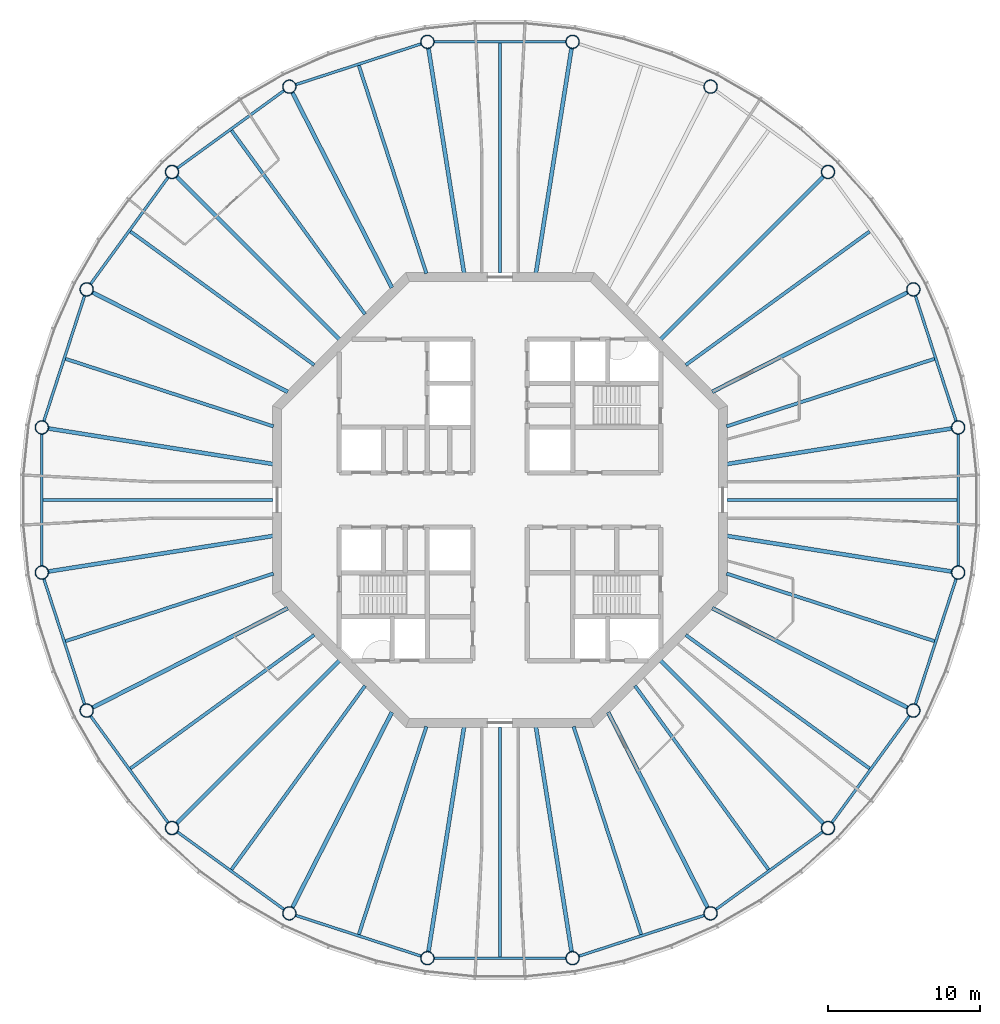
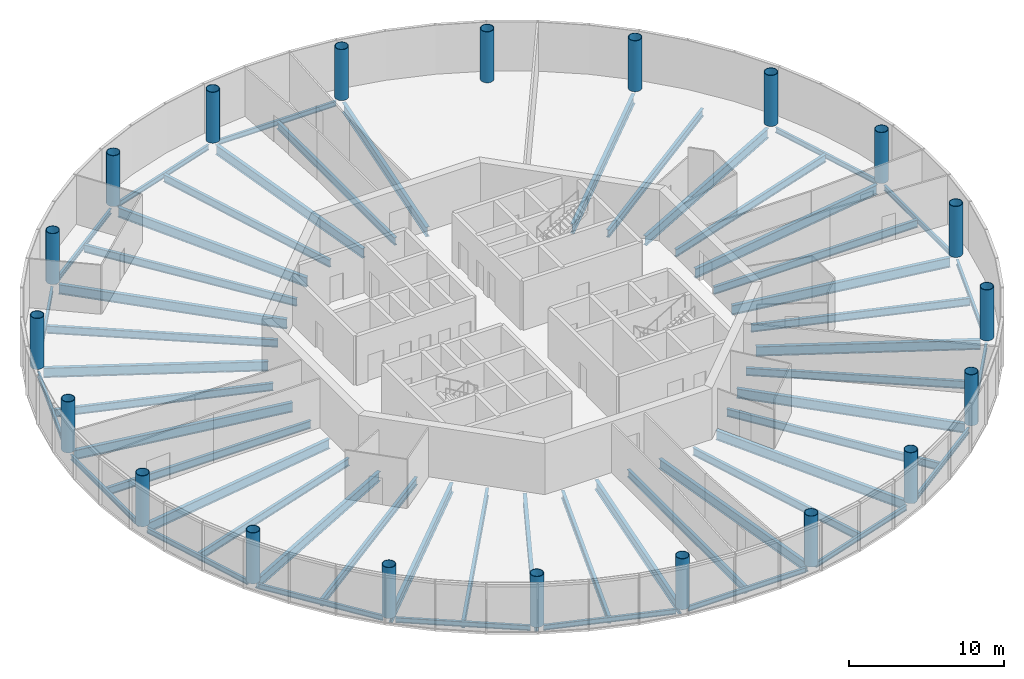
# One storey, part 1 of 13: 54 beams, 20 columns.
"""IFC4 building model written with IfcOpenShell, lengths in metres."""

from ifc_helpers import new_model, si_unit, direction, frame, origin, origin_2d, place, context, subcontext, project, spatial, circle, hollow_circle, i_section, extrude, material, material_profile, profile_set, type_object, element, save


model = new_model("IFC4")

# Units and contexts
model_context = context("Model", 3, precision=1e-05, world=origin(), true_north=direction((0.0, 1.0)))
body_context = subcontext(model_context, "Body", "Model", "MODEL_VIEW")
ifc_project = project(units=[si_unit("LENGTHUNIT", "METRE"), si_unit("AREAUNIT", "SQUARE_METRE"), si_unit("VOLUMEUNIT", "CUBIC_METRE"), si_unit("PLANEANGLEUNIT", "RADIAN"), si_unit("MASSUNIT", "GRAM", prefix="KILO")], contexts=[model_context])

# Site, building, storey
site_placement = place(None, origin())
site = spatial("IfcSite", under=ifc_project, at=site_placement, CompositionType="ELEMENT")
building_placement = place(site_placement, origin())
building = spatial("IfcBuilding", under=site, at=building_placement, Name="Entoto Ring Tower", CompositionType="ELEMENT")
storey_placement = place(building_placement, frame((0.0, 0.0, 348.0)))
storey = spatial("IfcBuildingStorey", under=building, at=storey_placement, Name="L80", CompositionType="ELEMENT", Elevation=348.0)

# Columns
ifc_material_1 = material(Name="Steel S355", Category="steel")
ifc_material_profile_1 = material_profile(ifc_material_1, hollow_circle(Radius=0.449951171875, WallThickness=0.0400390625, at=origin_2d()), Name="CHS 900 x 40")
ifc_material_2 = material(Name="Concrete C60/75", Category="concrete")
ifc_material_profile_2 = material_profile(ifc_material_2, circle(Radius=0.409912109375, at=origin_2d()), Name="Concrete C60/75 infill")
ifc_profile_set_1 = profile_set([ifc_material_profile_1, ifc_material_profile_2], Name="Steel S355")
column_type = type_object("IfcColumnType", Name="Ring column 900 x 40 concrete-filled tube", PredefinedType="COLUMN", material=ifc_profile_set_1)
for number, where, z_axis, x_axis, name in (
    (1, (120.22314453125, 84.786865234375, 0.0), (0.0, 0.0, 1.0), (1.0, 0.0, 0.0), "RC6 R01"),
    (2, (117.264892578125, 93.89208984375, 0.0), (0.0, 0.0, 1.0), (1.0, 0.0, 0.0), "RC6 R02"),
    (3, (111.637451171875, 101.637451171875, 0.0), (0.0, 0.0, 1.0), (1.0, 0.0, 0.0), "RC6 R03"),
    (4, (103.89208984375, 107.264892578125, 0.0), (0.0, 0.0, 1.0), (1.0, 0.0, 0.0), "RC6 R04"),
    (5, (94.786865234375, 110.22314453125, 0.0), (0.0, 0.0, 1.0), (1.0, 0.0, 0.0), "RC6 R05"),
    (6, (85.213134765625, 110.22314453125, 0.0), (0.0, 0.0, 1.0), (1.0, 0.0, 0.0), "RC6 R06"),
    (7, (76.10791015625, 107.264892578125, 0.0), (0.0, 0.0, 1.0), (1.0, 0.0, 0.0), "RC6 R07"),
    (8, (68.362548828125, 101.637451171875, 0.0), (0.0, 0.0, 1.0), (1.0, 0.0, 0.0), "RC6 R08"),
    (9, (62.735107421875, 93.89208984375, 0.0), (0.0, 0.0, 1.0), (1.0, 0.0, 0.0), "RC6 R09"),
    (10, (59.77685546875, 84.786865234375, 0.0), (0.0, 0.0, 1.0), (1.0, 0.0, 0.0), "RC6 R10"),
    (11, (59.77685546875, 75.213134765625, 0.0), (0.0, 0.0, 1.0), (1.0, 0.0, 0.0), "RC6 R11"),
    (12, (62.735107421875, 66.10791015625, 0.0), (0.0, 0.0, 1.0), (1.0, 0.0, 0.0), "RC6 R12"),
    (13, (68.362548828125, 58.362548828125, 0.0), (0.0, 0.0, 1.0), (1.0, 0.0, 0.0), "RC6 R13"),
    (14, (76.10791015625, 52.735107421875, 0.0), (0.0, 0.0, 1.0), (1.0, 0.0, 0.0), "RC6 R14"),
    (15, (85.213134765625, 49.77685546875, 0.0), (0.0, 0.0, 1.0), (1.0, 0.0, 0.0), "RC6 R15"),
    (16, (94.786865234375, 49.77685546875, 0.0), (0.0, 0.0, 1.0), (1.0, 0.0, 0.0), "RC6 R16"),
    (17, (103.89208984375, 52.735107421875, 0.0), (0.0, 0.0, 1.0), (1.0, 0.0, 0.0), "RC6 R17"),
    (18, (111.637451171875, 58.362548828125, 0.0), (0.0, 0.0, 1.0), (1.0, 0.0, 0.0), "RC6 R18"),
    (19, (117.264892578125, 66.10791015625, 0.0), (0.0, 0.0, 1.0), (1.0, 0.0, 0.0), "RC6 R19"),
    (20, (120.22314453125, 75.213134765625, 0.0), (0.0, 0.0, 1.0), (1.0, 0.0, 0.0), "RC6 R20"),
):
    element("IfcColumn", number, at=place(storey_placement, frame(where, z_axis=z_axis, x_axis=x_axis)), inside=storey, type_object=column_type, Name=name, PredefinedType="COLUMN", context=body_context, shape_type="SweptSolid", body=[
        extrude(hollow_circle(Radius=0.449951171875, WallThickness=0.0400390625, at=origin_2d()), origin(), (0.0, 0.0, 1.0), 4.0),
    ])

# Beams
ifc_material_3 = material(Name="Steel S355", Category="steel")
ifc_material_profile_3 = material_profile(ifc_material_3, i_section(OverallWidth=0.179931640625, OverallDepth=0.39990234375, WebThickness=0.008544921875, FlangeThickness=0.013427734375, FilletRadius=0.02099609375, at=origin_2d()), Name="IPE 400")
ifc_profile_set_2 = profile_set([ifc_material_profile_3], Name="Steel S355")
beam_type_1 = type_object("IfcBeamType", Name="Edge beam IPE 400", PredefinedType="SPANDREL", material=ifc_profile_set_2)
beam_1_placement = place(storey_placement, frame((120.09326171875, 85.187255859375, -0.35009765625), z_axis=(-0.309030438368, 0.951052147972, 0.0), x_axis=(-0.951052147972, -0.309030438368, 0.0)))
element("IfcBeam", 21, at=beam_1_placement, inside=storey, type_object=beam_type_1, Name="Edge beam L80 01", PredefinedType="SPANDREL", context=body_context, shape_type="SweptSolid", body=[
    extrude(i_section(OverallWidth=0.179931640625, OverallDepth=0.39990234375, WebThickness=0.008544921875, FlangeThickness=0.013427734375, FilletRadius=0.02099609375, at=origin_2d()), origin(), (0.0, 0.0, 1.0), 8.732177734375),
])
beam_2_placement = place(storey_placement, frame((94.365966796875, 110.22314453125, -0.35009765625), z_axis=(-1.0, 0.0, 0.0), x_axis=(0.0, -1.0, 0.0)))
element("IfcBeam", 22, at=beam_2_placement, inside=storey, type_object=beam_type_1, Name="Edge beam L80 05", PredefinedType="SPANDREL", context=body_context, shape_type="SweptSolid", body=[
    extrude(i_section(OverallWidth=0.179931640625, OverallDepth=0.39990234375, WebThickness=0.008544921875, FlangeThickness=0.013427734375, FilletRadius=0.02099609375, at=origin_2d()), origin(), (0.0, 0.0, 1.0), 8.73193359375),
])
beam_3_placement = place(storey_placement, frame((84.812744140625, 110.09326171875, -0.35009765625), z_axis=(-0.951052147972, -0.309030438368, 0.0), x_axis=(0.309030438368, -0.951052147972, 0.0)))
element("IfcBeam", 23, at=beam_3_placement, inside=storey, type_object=beam_type_1, Name="Edge beam L80 06", PredefinedType="SPANDREL", context=body_context, shape_type="SweptSolid", body=[
    extrude(i_section(OverallWidth=0.179931640625, OverallDepth=0.39990234375, WebThickness=0.008544921875, FlangeThickness=0.013427734375, FilletRadius=0.02099609375, at=origin_2d()), origin(), (0.0, 0.0, 1.0), 8.732177734375),
])
for number, where, z_axis, x_axis, name in (
    (24, (75.767333984375, 107.017333984375, -0.35009765625), (-0.80901045354, -0.587794254874, 0.0), (0.587794254874, -0.80901045354, 0.0), "Edge beam L80 07"),
    (25, (68.115234375, 101.296875, -0.35009765625), (-0.587794254874, -0.80901045354, 0.0), (0.80901045354, -0.587794254874, 0.0), "Edge beam L80 08"),
):
    element("IfcBeam", number, at=place(storey_placement, frame(where, z_axis=z_axis, x_axis=x_axis)), inside=storey, type_object=beam_type_1, Name=name, PredefinedType="SPANDREL", context=body_context, shape_type="SweptSolid", body=[
        extrude(i_section(OverallWidth=0.179931640625, OverallDepth=0.39990234375, WebThickness=0.008544921875, FlangeThickness=0.013427734375, FilletRadius=0.02099609375, at=origin_2d()), origin(), (0.0, 0.0, 1.0), 8.73193359375),
    ])
beam_4_placement = place(storey_placement, frame((62.605224609375, 93.491943359375, -0.35009765625), z_axis=(-0.309030438368, -0.951052147972, 0.0), x_axis=(0.951052147972, -0.309030438368, 0.0)))
element("IfcBeam", 26, at=beam_4_placement, inside=storey, type_object=beam_type_1, Name="Edge beam L80 09", PredefinedType="SPANDREL", context=body_context, shape_type="SweptSolid", body=[
    extrude(i_section(OverallWidth=0.179931640625, OverallDepth=0.39990234375, WebThickness=0.008544921875, FlangeThickness=0.013427734375, FilletRadius=0.02099609375, at=origin_2d()), origin(), (0.0, 0.0, 1.0), 8.732177734375),
])
beam_5_placement = place(storey_placement, frame((59.77685546875, 84.365966796875, -0.35009765625), z_axis=(0.0, -1.0, 0.0), x_axis=(1.0, 0.0, 0.0)))
element("IfcBeam", 27, at=beam_5_placement, inside=storey, type_object=beam_type_1, Name="Edge beam L80 10", PredefinedType="SPANDREL", context=body_context, shape_type="SweptSolid", body=[
    extrude(i_section(OverallWidth=0.179931640625, OverallDepth=0.39990234375, WebThickness=0.008544921875, FlangeThickness=0.013427734375, FilletRadius=0.02099609375, at=origin_2d()), origin(), (0.0, 0.0, 1.0), 8.73193359375),
])
beam_6_placement = place(storey_placement, frame((59.90673828125, 74.812744140625, -0.35009765625), z_axis=(0.309030438368, -0.951052147972, 0.0), x_axis=(0.951052147972, 0.309030438368, 0.0)))
element("IfcBeam", 28, at=beam_6_placement, inside=storey, type_object=beam_type_1, Name="Edge beam L80 11", PredefinedType="SPANDREL", context=body_context, shape_type="SweptSolid", body=[
    extrude(i_section(OverallWidth=0.179931640625, OverallDepth=0.39990234375, WebThickness=0.008544921875, FlangeThickness=0.013427734375, FilletRadius=0.02099609375, at=origin_2d()), origin(), (0.0, 0.0, 1.0), 8.732177734375),
])
for number, where, z_axis, x_axis, name in (
    (29, (62.982666015625, 65.767333984375, -0.35009765625), (0.587794254874, -0.80901045354, 0.0), (0.80901045354, 0.587794254874, 0.0), "Edge beam L80 12"),
    (30, (68.703125, 58.115234375, -0.35009765625), (0.80901045354, -0.587794254874, 0.0), (0.587794254874, 0.80901045354, 0.0), "Edge beam L80 13"),
):
    element("IfcBeam", number, at=place(storey_placement, frame(where, z_axis=z_axis, x_axis=x_axis)), inside=storey, type_object=beam_type_1, Name=name, PredefinedType="SPANDREL", context=body_context, shape_type="SweptSolid", body=[
        extrude(i_section(OverallWidth=0.179931640625, OverallDepth=0.39990234375, WebThickness=0.008544921875, FlangeThickness=0.013427734375, FilletRadius=0.02099609375, at=origin_2d()), origin(), (0.0, 0.0, 1.0), 8.73193359375),
    ])
beam_7_placement = place(storey_placement, frame((76.508056640625, 52.605224609375, -0.35009765625), z_axis=(0.951052147972, -0.309030438368, 0.0), x_axis=(0.309030438368, 0.951052147972, 0.0)))
element("IfcBeam", 31, at=beam_7_placement, inside=storey, type_object=beam_type_1, Name="Edge beam L80 14", PredefinedType="SPANDREL", context=body_context, shape_type="SweptSolid", body=[
    extrude(i_section(OverallWidth=0.179931640625, OverallDepth=0.39990234375, WebThickness=0.008544921875, FlangeThickness=0.013427734375, FilletRadius=0.02099609375, at=origin_2d()), origin(), (0.0, 0.0, 1.0), 8.732177734375),
])
beam_8_placement = place(storey_placement, frame((85.634033203125, 49.77685546875, -0.35009765625), z_axis=(1.0, 0.0, 0.0), x_axis=(0.0, 1.0, 0.0)))
element("IfcBeam", 32, at=beam_8_placement, inside=storey, type_object=beam_type_1, Name="Edge beam L80 15", PredefinedType="SPANDREL", context=body_context, shape_type="SweptSolid", body=[
    extrude(i_section(OverallWidth=0.179931640625, OverallDepth=0.39990234375, WebThickness=0.008544921875, FlangeThickness=0.013427734375, FilletRadius=0.02099609375, at=origin_2d()), origin(), (0.0, 0.0, 1.0), 8.73193359375),
])
beam_9_placement = place(storey_placement, frame((95.187255859375, 49.90673828125, -0.35009765625), z_axis=(0.951052147972, 0.309030438368, 0.0), x_axis=(-0.309030438368, 0.951052147972, 0.0)))
element("IfcBeam", 33, at=beam_9_placement, inside=storey, type_object=beam_type_1, Name="Edge beam L80 16", PredefinedType="SPANDREL", context=body_context, shape_type="SweptSolid", body=[
    extrude(i_section(OverallWidth=0.179931640625, OverallDepth=0.39990234375, WebThickness=0.008544921875, FlangeThickness=0.013427734375, FilletRadius=0.02099609375, at=origin_2d()), origin(), (0.0, 0.0, 1.0), 8.732177734375),
])
for number, where, z_axis, x_axis, name in (
    (34, (104.232666015625, 52.982666015625, -0.35009765625), (0.80901045354, 0.587794254874, 0.0), (-0.587794254874, 0.80901045354, 0.0), "Edge beam L80 17"),
    (35, (111.884765625, 58.703125, -0.35009765625), (0.587794254874, 0.80901045354, 0.0), (-0.80901045354, 0.587794254874, 0.0), "Edge beam L80 18"),
):
    element("IfcBeam", number, at=place(storey_placement, frame(where, z_axis=z_axis, x_axis=x_axis)), inside=storey, type_object=beam_type_1, Name=name, PredefinedType="SPANDREL", context=body_context, shape_type="SweptSolid", body=[
        extrude(i_section(OverallWidth=0.179931640625, OverallDepth=0.39990234375, WebThickness=0.008544921875, FlangeThickness=0.013427734375, FilletRadius=0.02099609375, at=origin_2d()), origin(), (0.0, 0.0, 1.0), 8.73193359375),
    ])
beam_10_placement = place(storey_placement, frame((117.394775390625, 66.508056640625, -0.35009765625), z_axis=(0.309030438368, 0.951052147972, 0.0), x_axis=(-0.951052147972, 0.309030438368, 0.0)))
element("IfcBeam", 36, at=beam_10_placement, inside=storey, type_object=beam_type_1, Name="Edge beam L80 19", PredefinedType="SPANDREL", context=body_context, shape_type="SweptSolid", body=[
    extrude(i_section(OverallWidth=0.179931640625, OverallDepth=0.39990234375, WebThickness=0.008544921875, FlangeThickness=0.013427734375, FilletRadius=0.02099609375, at=origin_2d()), origin(), (0.0, 0.0, 1.0), 8.732177734375),
])
beam_11_placement = place(storey_placement, frame((120.22314453125, 75.634033203125, -0.35009765625), z_axis=(0.0, 1.0, 0.0), x_axis=(-1.0, 0.0, 0.0)))
element("IfcBeam", 37, at=beam_11_placement, inside=storey, type_object=beam_type_1, Name="Edge beam L80 20", PredefinedType="SPANDREL", context=body_context, shape_type="SweptSolid", body=[
    extrude(i_section(OverallWidth=0.179931640625, OverallDepth=0.39990234375, WebThickness=0.008544921875, FlangeThickness=0.013427734375, FilletRadius=0.02099609375, at=origin_2d()), origin(), (0.0, 0.0, 1.0), 8.73193359375),
])
ifc_material_4 = material(Name="Steel S355", Category="steel")
ifc_material_profile_4 = material_profile(ifc_material_4, i_section(OverallWidth=0.262939453125, OverallDepth=0.7529296875, WebThickness=0.011474609375, FlangeThickness=0.01708984375, FilletRadius=0.01708984375, at=origin_2d()), Name="IPE 750 x 137")
ifc_profile_set_3 = profile_set([ifc_material_profile_4], Name="Steel S355")
beam_type_2 = type_object("IfcBeamType", Name="Primary floor beam IPE 750 x 137", PredefinedType="BEAM", material=ifc_profile_set_3)
beam_12_placement = place(storey_placement, frame((104.959716796875, 82.369384765625, -0.526611328125), z_axis=(0.987688638122, 0.156432586517, 0.0), x_axis=(-0.156432586517, 0.987688638122, 0.0)))
element("IfcBeam", 38, at=beam_12_placement, inside=storey, type_object=beam_type_2, Name="Primary L80 R01", PredefinedType="BEAM", context=body_context, shape_type="SweptSolid", body=[
    extrude(i_section(OverallWidth=0.262939453125, OverallDepth=0.7529296875, WebThickness=0.011474609375, FlangeThickness=0.01708984375, FilletRadius=0.01708984375, at=origin_2d()), origin(), (0.0, 0.0, 1.0), 15.04345703125),
])
beam_13_placement = place(storey_placement, frame((103.9970703125, 87.1318359375, -0.526611328125), z_axis=(0.89100578373, 0.453991952968, 0.0), x_axis=(-0.453991952968, 0.89100578373, 0.0)))
element("IfcBeam", 39, at=beam_13_placement, inside=storey, type_object=beam_type_2, Name="Primary L80 R02", PredefinedType="BEAM", context=body_context, shape_type="SweptSolid", body=[
    extrude(i_section(OverallWidth=0.262939453125, OverallDepth=0.7529296875, WebThickness=0.011474609375, FlangeThickness=0.01708984375, FilletRadius=0.01708984375, at=origin_2d()), origin(), (0.0, 0.0, 1.0), 14.48046875),
])
beam_14_placement = place(storey_placement, frame((100.592529296875, 90.592529296875, -0.526611328125), z_axis=(0.707106781187, 0.707106781187, 0.0), x_axis=(-0.707106781187, 0.707106781187, 0.0)))
element("IfcBeam", 40, at=beam_14_placement, inside=storey, type_object=beam_type_2, Name="Primary L80 R03", PredefinedType="BEAM", context=body_context, shape_type="SweptSolid", body=[
    extrude(i_section(OverallWidth=0.262939453125, OverallDepth=0.7529296875, WebThickness=0.011474609375, FlangeThickness=0.01708984375, FilletRadius=0.01708984375, at=origin_2d()), origin(), (0.0, 0.0, 1.0), 15.209716796875),
])
for number, where, z_axis, x_axis, name in (
    (41, (92.369384765625, 94.959716796875, -0.526611328125), (0.156432586517, 0.987688638122, 0.0), (-0.987688638122, 0.156432586517, 0.0), "Primary L80 R05"),
    (42, (87.630615234375, 94.959716796875, -0.526611328125), (-0.156432586517, 0.987688638122, 0.0), (-0.987688638122, -0.156432586517, 0.0), "Primary L80 R06"),
):
    element("IfcBeam", number, at=place(storey_placement, frame(where, z_axis=z_axis, x_axis=x_axis)), inside=storey, type_object=beam_type_2, Name=name, PredefinedType="BEAM", context=body_context, shape_type="SweptSolid", body=[
        extrude(i_section(OverallWidth=0.262939453125, OverallDepth=0.7529296875, WebThickness=0.011474609375, FlangeThickness=0.01708984375, FilletRadius=0.01708984375, at=origin_2d()), origin(), (0.0, 0.0, 1.0), 15.04345703125),
    ])
beam_15_placement = place(storey_placement, frame((82.8681640625, 93.9970703125, -0.526611328125), z_axis=(-0.453991952968, 0.89100578373, 0.0), x_axis=(-0.89100578373, -0.453991952968, 0.0)))
element("IfcBeam", 43, at=beam_15_placement, inside=storey, type_object=beam_type_2, Name="Primary L80 R07", PredefinedType="BEAM", context=body_context, shape_type="SweptSolid", body=[
    extrude(i_section(OverallWidth=0.262939453125, OverallDepth=0.7529296875, WebThickness=0.011474609375, FlangeThickness=0.01708984375, FilletRadius=0.01708984375, at=origin_2d()), origin(), (0.0, 0.0, 1.0), 14.48046875),
])
beam_16_placement = place(storey_placement, frame((79.407470703125, 90.592529296875, -0.526611328125), z_axis=(-0.707106781187, 0.707106781187, 0.0), x_axis=(-0.707106781187, -0.707106781187, 0.0)))
element("IfcBeam", 44, at=beam_16_placement, inside=storey, type_object=beam_type_2, Name="Primary L80 R08", PredefinedType="BEAM", context=body_context, shape_type="SweptSolid", body=[
    extrude(i_section(OverallWidth=0.262939453125, OverallDepth=0.7529296875, WebThickness=0.011474609375, FlangeThickness=0.01708984375, FilletRadius=0.01708984375, at=origin_2d()), origin(), (0.0, 0.0, 1.0), 15.209716796875),
])
beam_17_placement = place(storey_placement, frame((76.0029296875, 87.1318359375, -0.526611328125), z_axis=(-0.89100578373, 0.453991952968, 0.0), x_axis=(-0.453991952968, -0.89100578373, 0.0)))
element("IfcBeam", 45, at=beam_17_placement, inside=storey, type_object=beam_type_2, Name="Primary L80 R09", PredefinedType="BEAM", context=body_context, shape_type="SweptSolid", body=[
    extrude(i_section(OverallWidth=0.262939453125, OverallDepth=0.7529296875, WebThickness=0.011474609375, FlangeThickness=0.01708984375, FilletRadius=0.01708984375, at=origin_2d()), origin(), (0.0, 0.0, 1.0), 14.48046875),
])
for number, where, z_axis, x_axis, name in (
    (46, (75.040283203125, 82.369384765625, -0.526611328125), (-0.987688638122, 0.156432586517, 0.0), (-0.156432586517, -0.987688638122, 0.0), "Primary L80 R10"),
    (47, (75.040283203125, 77.630615234375, -0.526611328125), (-0.987688638122, -0.156432586517, 0.0), (0.156432586517, -0.987688638122, 0.0), "Primary L80 R11"),
):
    element("IfcBeam", number, at=place(storey_placement, frame(where, z_axis=z_axis, x_axis=x_axis)), inside=storey, type_object=beam_type_2, Name=name, PredefinedType="BEAM", context=body_context, shape_type="SweptSolid", body=[
        extrude(i_section(OverallWidth=0.262939453125, OverallDepth=0.7529296875, WebThickness=0.011474609375, FlangeThickness=0.01708984375, FilletRadius=0.01708984375, at=origin_2d()), origin(), (0.0, 0.0, 1.0), 15.04345703125),
    ])
beam_18_placement = place(storey_placement, frame((76.0029296875, 72.8681640625, -0.526611328125), z_axis=(-0.89100578373, -0.453991952968, 0.0), x_axis=(0.453991952968, -0.89100578373, 0.0)))
element("IfcBeam", 48, at=beam_18_placement, inside=storey, type_object=beam_type_2, Name="Primary L80 R12", PredefinedType="BEAM", context=body_context, shape_type="SweptSolid", body=[
    extrude(i_section(OverallWidth=0.262939453125, OverallDepth=0.7529296875, WebThickness=0.011474609375, FlangeThickness=0.01708984375, FilletRadius=0.01708984375, at=origin_2d()), origin(), (0.0, 0.0, 1.0), 14.48046875),
])
beam_19_placement = place(storey_placement, frame((79.407470703125, 69.407470703125, -0.526611328125), z_axis=(-0.707106781187, -0.707106781187, 0.0), x_axis=(0.707106781187, -0.707106781187, 0.0)))
element("IfcBeam", 49, at=beam_19_placement, inside=storey, type_object=beam_type_2, Name="Primary L80 R13", PredefinedType="BEAM", context=body_context, shape_type="SweptSolid", body=[
    extrude(i_section(OverallWidth=0.262939453125, OverallDepth=0.7529296875, WebThickness=0.011474609375, FlangeThickness=0.01708984375, FilletRadius=0.01708984375, at=origin_2d()), origin(), (0.0, 0.0, 1.0), 15.209716796875),
])
beam_20_placement = place(storey_placement, frame((82.8681640625, 66.0029296875, -0.526611328125), z_axis=(-0.453991952968, -0.89100578373, 0.0), x_axis=(0.89100578373, -0.453991952968, 0.0)))
element("IfcBeam", 50, at=beam_20_placement, inside=storey, type_object=beam_type_2, Name="Primary L80 R14", PredefinedType="BEAM", context=body_context, shape_type="SweptSolid", body=[
    extrude(i_section(OverallWidth=0.262939453125, OverallDepth=0.7529296875, WebThickness=0.011474609375, FlangeThickness=0.01708984375, FilletRadius=0.01708984375, at=origin_2d()), origin(), (0.0, 0.0, 1.0), 14.48046875),
])
for number, where, z_axis, x_axis, name in (
    (51, (87.630615234375, 65.040283203125, -0.526611328125), (-0.156432586517, -0.987688638122, 0.0), (0.987688638122, -0.156432586517, 0.0), "Primary L80 R15"),
    (52, (92.369384765625, 65.040283203125, -0.526611328125), (0.156432586517, -0.987688638122, 0.0), (0.987688638122, 0.156432586517, 0.0), "Primary L80 R16"),
):
    element("IfcBeam", number, at=place(storey_placement, frame(where, z_axis=z_axis, x_axis=x_axis)), inside=storey, type_object=beam_type_2, Name=name, PredefinedType="BEAM", context=body_context, shape_type="SweptSolid", body=[
        extrude(i_section(OverallWidth=0.262939453125, OverallDepth=0.7529296875, WebThickness=0.011474609375, FlangeThickness=0.01708984375, FilletRadius=0.01708984375, at=origin_2d()), origin(), (0.0, 0.0, 1.0), 15.04345703125),
    ])
beam_21_placement = place(storey_placement, frame((97.1318359375, 66.0029296875, -0.526611328125), z_axis=(0.453991952968, -0.89100578373, 0.0), x_axis=(0.89100578373, 0.453991952968, 0.0)))
element("IfcBeam", 53, at=beam_21_placement, inside=storey, type_object=beam_type_2, Name="Primary L80 R17", PredefinedType="BEAM", context=body_context, shape_type="SweptSolid", body=[
    extrude(i_section(OverallWidth=0.262939453125, OverallDepth=0.7529296875, WebThickness=0.011474609375, FlangeThickness=0.01708984375, FilletRadius=0.01708984375, at=origin_2d()), origin(), (0.0, 0.0, 1.0), 14.48046875),
])
beam_22_placement = place(storey_placement, frame((100.592529296875, 69.407470703125, -0.526611328125), z_axis=(0.707106781187, -0.707106781187, 0.0), x_axis=(0.707106781187, 0.707106781187, 0.0)))
element("IfcBeam", 54, at=beam_22_placement, inside=storey, type_object=beam_type_2, Name="Primary L80 R18", PredefinedType="BEAM", context=body_context, shape_type="SweptSolid", body=[
    extrude(i_section(OverallWidth=0.262939453125, OverallDepth=0.7529296875, WebThickness=0.011474609375, FlangeThickness=0.01708984375, FilletRadius=0.01708984375, at=origin_2d()), origin(), (0.0, 0.0, 1.0), 15.209716796875),
])
beam_23_placement = place(storey_placement, frame((103.9970703125, 72.8681640625, -0.526611328125), z_axis=(0.89100578373, -0.453991952968, 0.0), x_axis=(0.453991952968, 0.89100578373, 0.0)))
element("IfcBeam", 55, at=beam_23_placement, inside=storey, type_object=beam_type_2, Name="Primary L80 R19", PredefinedType="BEAM", context=body_context, shape_type="SweptSolid", body=[
    extrude(i_section(OverallWidth=0.262939453125, OverallDepth=0.7529296875, WebThickness=0.011474609375, FlangeThickness=0.01708984375, FilletRadius=0.01708984375, at=origin_2d()), origin(), (0.0, 0.0, 1.0), 14.48046875),
])
beam_24_placement = place(storey_placement, frame((104.959716796875, 77.630615234375, -0.526611328125), z_axis=(0.987688638122, -0.156432586517, 0.0), x_axis=(0.156432586517, 0.987688638122, 0.0)))
element("IfcBeam", 56, at=beam_24_placement, inside=storey, type_object=beam_type_2, Name="Primary L80 R20", PredefinedType="BEAM", context=body_context, shape_type="SweptSolid", body=[
    extrude(i_section(OverallWidth=0.262939453125, OverallDepth=0.7529296875, WebThickness=0.011474609375, FlangeThickness=0.01708984375, FilletRadius=0.01708984375, at=origin_2d()), origin(), (0.0, 0.0, 1.0), 15.04345703125),
])
ifc_material_5 = material(Name="Steel S355", Category="steel")
ifc_material_profile_5 = material_profile(ifc_material_5, i_section(OverallWidth=0.219970703125, OverallDepth=0.60009765625, WebThickness=0.011962890625, FlangeThickness=0.01904296875, FilletRadius=0.02392578125, at=origin_2d()), Name="IPE 600")
ifc_profile_set_4 = profile_set([ifc_material_profile_5], Name="Steel S355")
beam_type_3 = type_object("IfcBeamType", Name="Secondary floor beam IPE 600", PredefinedType="JOIST", material=ifc_profile_set_4)
beam_25_placement = place(storey_placement, frame((104.947021484375, 84.856689453125, -0.449951171875), z_axis=(0.951057212949, 0.309014850288, 0.0), x_axis=(-0.309014850288, 0.951057212949, 0.0)))
element("IfcBeam", 57, at=beam_25_placement, inside=storey, type_object=beam_type_3, Name="Secondary beam L80 01", PredefinedType="JOIST", context=body_context, shape_type="SweptSolid", body=[
    extrude(i_section(OverallWidth=0.219970703125, OverallDepth=0.60009765625, WebThickness=0.011962890625, FlangeThickness=0.01904296875, FilletRadius=0.02392578125, at=origin_2d()), origin(), (0.0, 0.0, 1.0), 14.4169921875),
])
beam_26_placement = place(storey_placement, frame((102.25634765625, 88.90478515625, -0.449951171875), z_axis=(0.809019238239, 0.587782163866, 0.0), x_axis=(-0.587782163866, 0.809019238239, 0.0)))
element("IfcBeam", 58, at=beam_26_placement, inside=storey, type_object=beam_type_3, Name="Secondary beam L80 02", PredefinedType="JOIST", context=body_context, shape_type="SweptSolid", body=[
    extrude(i_section(OverallWidth=0.219970703125, OverallDepth=0.60009765625, WebThickness=0.011962890625, FlangeThickness=0.01904296875, FilletRadius=0.02392578125, at=origin_2d()), origin(), (0.0, 0.0, 1.0), 14.983642578125),
])
beam_27_placement = place(storey_placement, frame((90.0, 94.97998046875, -0.449951171875), z_axis=(0.0, 1.0, 0.0), x_axis=(-1.0, 0.0, 0.0)))
element("IfcBeam", 59, at=beam_27_placement, inside=storey, type_object=beam_type_3, Name="Secondary beam L80 05", PredefinedType="JOIST", context=body_context, shape_type="SweptSolid", body=[
    extrude(i_section(OverallWidth=0.219970703125, OverallDepth=0.60009765625, WebThickness=0.011962890625, FlangeThickness=0.01904296875, FilletRadius=0.02392578125, at=origin_2d()), origin(), (0.0, 0.0, 1.0), 15.1533203125),
])
beam_28_placement = place(storey_placement, frame((85.143310546875, 94.947021484375, -0.449951171875), z_axis=(-0.309014850288, 0.951057212949, 0.0), x_axis=(-0.951057212949, -0.309014850288, 0.0)))
element("IfcBeam", 60, at=beam_28_placement, inside=storey, type_object=beam_type_3, Name="Secondary beam L80 06", PredefinedType="JOIST", context=body_context, shape_type="SweptSolid", body=[
    extrude(i_section(OverallWidth=0.219970703125, OverallDepth=0.60009765625, WebThickness=0.011962890625, FlangeThickness=0.01904296875, FilletRadius=0.02392578125, at=origin_2d()), origin(), (0.0, 0.0, 1.0), 14.4169921875),
])
for number, where, z_axis, x_axis, name in (
    (61, (81.09521484375, 92.25634765625, -0.449951171875), (-0.587782163866, 0.809019238239, 0.0), (-0.809019238239, -0.587782163866, 0.0), "Secondary beam L80 07"),
    (62, (77.74365234375, 88.90478515625, -0.449951171875), (-0.809019238239, 0.587782163866, 0.0), (-0.587782163866, -0.809019238239, 0.0), "Secondary beam L80 08"),
):
    element("IfcBeam", number, at=place(storey_placement, frame(where, z_axis=z_axis, x_axis=x_axis)), inside=storey, type_object=beam_type_3, Name=name, PredefinedType="JOIST", context=body_context, shape_type="SweptSolid", body=[
        extrude(i_section(OverallWidth=0.219970703125, OverallDepth=0.60009765625, WebThickness=0.011962890625, FlangeThickness=0.01904296875, FilletRadius=0.02392578125, at=origin_2d()), origin(), (0.0, 0.0, 1.0), 14.983642578125),
    ])
beam_29_placement = place(storey_placement, frame((75.052978515625, 84.856689453125, -0.449951171875), z_axis=(-0.951057212949, 0.309014850288, 0.0), x_axis=(-0.309014850288, -0.951057212949, 0.0)))
element("IfcBeam", 63, at=beam_29_placement, inside=storey, type_object=beam_type_3, Name="Secondary beam L80 09", PredefinedType="JOIST", context=body_context, shape_type="SweptSolid", body=[
    extrude(i_section(OverallWidth=0.219970703125, OverallDepth=0.60009765625, WebThickness=0.011962890625, FlangeThickness=0.01904296875, FilletRadius=0.02392578125, at=origin_2d()), origin(), (0.0, 0.0, 1.0), 14.4169921875),
])
beam_30_placement = place(storey_placement, frame((75.02001953125, 80.0, -0.449951171875), z_axis=(-1.0, 0.0, 0.0), x_axis=(0.0, -1.0, 0.0)))
element("IfcBeam", 64, at=beam_30_placement, inside=storey, type_object=beam_type_3, Name="Secondary beam L80 10", PredefinedType="JOIST", context=body_context, shape_type="SweptSolid", body=[
    extrude(i_section(OverallWidth=0.219970703125, OverallDepth=0.60009765625, WebThickness=0.011962890625, FlangeThickness=0.01904296875, FilletRadius=0.02392578125, at=origin_2d()), origin(), (0.0, 0.0, 1.0), 15.1533203125),
])
beam_31_placement = place(storey_placement, frame((75.052978515625, 75.143310546875, -0.449951171875), z_axis=(-0.951057212949, -0.309014850288, 0.0), x_axis=(0.309014850288, -0.951057212949, 0.0)))
element("IfcBeam", 65, at=beam_31_placement, inside=storey, type_object=beam_type_3, Name="Secondary beam L80 11", PredefinedType="JOIST", context=body_context, shape_type="SweptSolid", body=[
    extrude(i_section(OverallWidth=0.219970703125, OverallDepth=0.60009765625, WebThickness=0.011962890625, FlangeThickness=0.01904296875, FilletRadius=0.02392578125, at=origin_2d()), origin(), (0.0, 0.0, 1.0), 14.4169921875),
])
for number, where, z_axis, x_axis, name in (
    (66, (77.74365234375, 71.09521484375, -0.449951171875), (-0.809019238239, -0.587782163866, 0.0), (0.587782163866, -0.809019238239, 0.0), "Secondary beam L80 12"),
    (67, (81.09521484375, 67.74365234375, -0.449951171875), (-0.587782163866, -0.809019238239, 0.0), (0.809019238239, -0.587782163866, 0.0), "Secondary beam L80 13"),
):
    element("IfcBeam", number, at=place(storey_placement, frame(where, z_axis=z_axis, x_axis=x_axis)), inside=storey, type_object=beam_type_3, Name=name, PredefinedType="JOIST", context=body_context, shape_type="SweptSolid", body=[
        extrude(i_section(OverallWidth=0.219970703125, OverallDepth=0.60009765625, WebThickness=0.011962890625, FlangeThickness=0.01904296875, FilletRadius=0.02392578125, at=origin_2d()), origin(), (0.0, 0.0, 1.0), 14.983642578125),
    ])
beam_32_placement = place(storey_placement, frame((85.143310546875, 65.052978515625, -0.449951171875), z_axis=(-0.309014850288, -0.951057212949, 0.0), x_axis=(0.951057212949, -0.309014850288, 0.0)))
element("IfcBeam", 68, at=beam_32_placement, inside=storey, type_object=beam_type_3, Name="Secondary beam L80 14", PredefinedType="JOIST", context=body_context, shape_type="SweptSolid", body=[
    extrude(i_section(OverallWidth=0.219970703125, OverallDepth=0.60009765625, WebThickness=0.011962890625, FlangeThickness=0.01904296875, FilletRadius=0.02392578125, at=origin_2d()), origin(), (0.0, 0.0, 1.0), 14.4169921875),
])
beam_33_placement = place(storey_placement, frame((90.0, 65.02001953125, -0.449951171875), z_axis=(0.0, -1.0, 0.0), x_axis=(1.0, 0.0, 0.0)))
element("IfcBeam", 69, at=beam_33_placement, inside=storey, type_object=beam_type_3, Name="Secondary beam L80 15", PredefinedType="JOIST", context=body_context, shape_type="SweptSolid", body=[
    extrude(i_section(OverallWidth=0.219970703125, OverallDepth=0.60009765625, WebThickness=0.011962890625, FlangeThickness=0.01904296875, FilletRadius=0.02392578125, at=origin_2d()), origin(), (0.0, 0.0, 1.0), 15.1533203125),
])
beam_34_placement = place(storey_placement, frame((94.856689453125, 65.052978515625, -0.449951171875), z_axis=(0.309014850288, -0.951057212949, 0.0), x_axis=(0.951057212949, 0.309014850288, 0.0)))
element("IfcBeam", 70, at=beam_34_placement, inside=storey, type_object=beam_type_3, Name="Secondary beam L80 16", PredefinedType="JOIST", context=body_context, shape_type="SweptSolid", body=[
    extrude(i_section(OverallWidth=0.219970703125, OverallDepth=0.60009765625, WebThickness=0.011962890625, FlangeThickness=0.01904296875, FilletRadius=0.02392578125, at=origin_2d()), origin(), (0.0, 0.0, 1.0), 14.4169921875),
])
for number, where, z_axis, x_axis, name in (
    (71, (98.90478515625, 67.74365234375, -0.449951171875), (0.587782163866, -0.809019238239, 0.0), (0.809019238239, 0.587782163866, 0.0), "Secondary beam L80 17"),
    (72, (102.25634765625, 71.09521484375, -0.449951171875), (0.809019238239, -0.587782163866, 0.0), (0.587782163866, 0.809019238239, 0.0), "Secondary beam L80 18"),
):
    element("IfcBeam", number, at=place(storey_placement, frame(where, z_axis=z_axis, x_axis=x_axis)), inside=storey, type_object=beam_type_3, Name=name, PredefinedType="JOIST", context=body_context, shape_type="SweptSolid", body=[
        extrude(i_section(OverallWidth=0.219970703125, OverallDepth=0.60009765625, WebThickness=0.011962890625, FlangeThickness=0.01904296875, FilletRadius=0.02392578125, at=origin_2d()), origin(), (0.0, 0.0, 1.0), 14.983642578125),
    ])
beam_35_placement = place(storey_placement, frame((104.947021484375, 75.143310546875, -0.449951171875), z_axis=(0.951057212949, -0.309014850288, 0.0), x_axis=(0.309014850288, 0.951057212949, 0.0)))
element("IfcBeam", 73, at=beam_35_placement, inside=storey, type_object=beam_type_3, Name="Secondary beam L80 19", PredefinedType="JOIST", context=body_context, shape_type="SweptSolid", body=[
    extrude(i_section(OverallWidth=0.219970703125, OverallDepth=0.60009765625, WebThickness=0.011962890625, FlangeThickness=0.01904296875, FilletRadius=0.02392578125, at=origin_2d()), origin(), (0.0, 0.0, 1.0), 14.4169921875),
])
beam_36_placement = place(storey_placement, frame((104.97998046875, 80.0, -0.449951171875), z_axis=(1.0, 0.0, 0.0), x_axis=(0.0, 1.0, 0.0)))
element("IfcBeam", 74, at=beam_36_placement, inside=storey, type_object=beam_type_3, Name="Secondary beam L80 20", PredefinedType="JOIST", context=body_context, shape_type="SweptSolid", body=[
    extrude(i_section(OverallWidth=0.219970703125, OverallDepth=0.60009765625, WebThickness=0.011962890625, FlangeThickness=0.01904296875, FilletRadius=0.02392578125, at=origin_2d()), origin(), (0.0, 0.0, 1.0), 15.1533203125),
])

save(model, "model.ifc")
